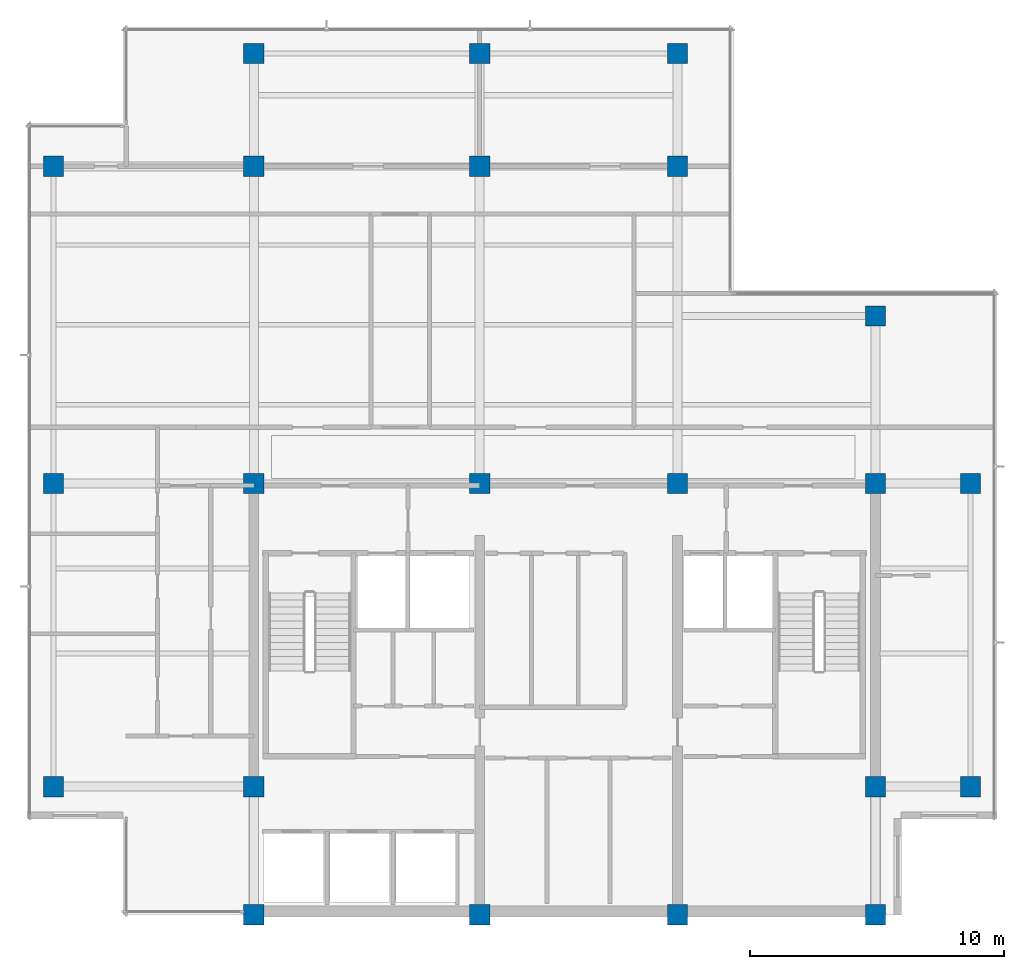
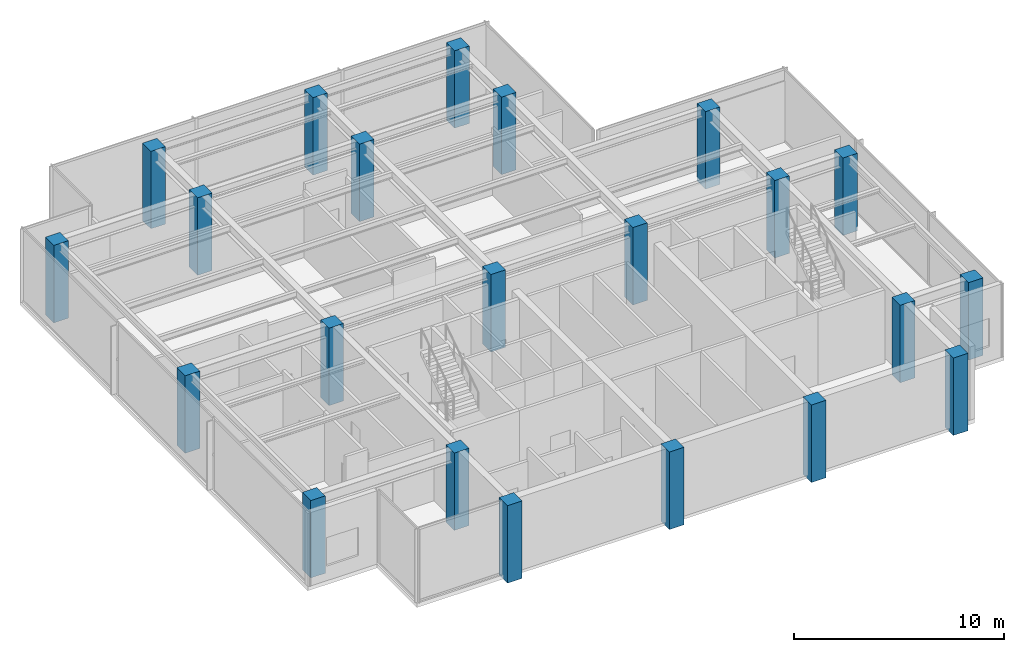
# One storey, part 1 of 11: 22 columns.
"""IFC4 building model written with IfcOpenShell, lengths in metres."""

from ifc_helpers import new_model, si_unit, direction, frame, origin, origin_2d, place, context, subcontext, project, spatial, rectangle, extrude, material, material_profile, profile_set, type_object, element, save


model = new_model("IFC4")

# Units and contexts
model_context = context("Model", 3, precision=1e-05, world=origin(), true_north=direction((0.0, 1.0)))
body_context = subcontext(model_context, "Body", "Model", "MODEL_VIEW")
ifc_project = project(units=[si_unit("LENGTHUNIT", "METRE"), si_unit("AREAUNIT", "SQUARE_METRE"), si_unit("VOLUMEUNIT", "CUBIC_METRE"), si_unit("PLANEANGLEUNIT", "RADIAN"), si_unit("MASSUNIT", "GRAM", prefix="KILO")], contexts=[model_context])

# Site, building, storey
site_placement = place(None, origin())
site = spatial("IfcSite", under=ifc_project, at=site_placement, CompositionType="ELEMENT")
building_placement = place(site_placement, origin())
building = spatial("IfcBuilding", under=site, at=building_placement, Name="Qalmaran Belvedere Hotel", CompositionType="ELEMENT")
storey_placement = place(building_placement, frame((0.0, 0.0, 280.89990234375)))
storey = spatial("IfcBuildingStorey", under=building, at=storey_placement, Name="L73", CompositionType="ELEMENT", Elevation=280.89990234375)

# Columns
ifc_material = material(Name="Concrete C50/60", Category="concrete")
ifc_material_profile = material_profile(ifc_material, rectangle(XDim=0.800048828125, YDim=0.800048828125, at=origin_2d()), Name="CC800X800")
ifc_profile_set = profile_set([ifc_material_profile], Name="Concrete C50/60")
column_type = type_object("IfcColumnType", Name="COL-Z5-CC800", PredefinedType="COLUMN", material=ifc_profile_set)
for number, where, z_axis, x_axis, name in (
    (1, (20.300048828125, 3.5, -0.239990234375), (0.0, 0.0, 1.0), (1.0, 0.0, 0.0), "L73 Column C4B"),
    (2, (29.199951171875, 3.5, -0.239990234375), (0.0, 0.0, 1.0), (1.0, 0.0, 0.0), "L73 Column C5B"),
    (3, (37.0, 3.5, -0.239990234375), (0.0, 0.0, 1.0), (1.0, 0.0, 0.0), "L73 Column C6B"),
    (4, (44.800048828125, 3.5, -0.239990234375), (0.0, 0.0, 1.0), (1.0, 0.0, 0.0), "L73 Column C7B"),
    (5, (20.300048828125, 8.550048828125, -0.239990234375), (0.0, 0.0, 1.0), (1.0, 0.0, 0.0), "L73 Column C4C"),
    (6, (44.800048828125, 8.550048828125, -0.239990234375), (0.0, 0.0, 1.0), (1.0, 0.0, 0.0), "L73 Column C7C"),
    (7, (20.300048828125, 20.5, -0.239990234375), (0.0, 0.0, 1.0), (1.0, 0.0, 0.0), "L73 Column C4D"),
    (8, (29.199951171875, 20.5, -0.239990234375), (0.0, 0.0, 1.0), (1.0, 0.0, 0.0), "L73 Column C5D"),
    (9, (37.0, 20.5, -0.239990234375), (0.0, 0.0, 1.0), (1.0, 0.0, 0.0), "L73 Column C6D"),
    (10, (44.800048828125, 20.5, -0.239990234375), (0.0, 0.0, 1.0), (1.0, 0.0, 0.0), "L73 Column C7D"),
    (11, (20.300048828125, 33.0, -0.239990234375), (0.0, 0.0, 1.0), (1.0, 0.0, 0.0), "L73 Column C4F"),
    (12, (29.199951171875, 33.0, -0.239990234375), (0.0, 0.0, 1.0), (1.0, 0.0, 0.0), "L73 Column C5F"),
    (13, (37.0, 33.0, -0.239990234375), (0.0, 0.0, 1.0), (1.0, 0.0, 0.0), "L73 Column C6F"),
    (14, (44.800048828125, 27.10009765625, -0.239990234375), (0.0, 0.0, 1.0), (1.0, 0.0, 0.0), "L73 Column C7E"),
    (15, (12.39990234375, 8.550048828125, -0.239990234375), (0.0, 0.0, 1.0), (1.0, 0.0, 0.0), "L73 Column CW1"),
    (16, (12.39990234375, 20.5, -0.239990234375), (0.0, 0.0, 1.0), (1.0, 0.0, 0.0), "L73 Column CW3"),
    (17, (12.39990234375, 33.0, -0.239990234375), (0.0, 0.0, 1.0), (1.0, 0.0, 0.0), "L73 Column CW4"),
    (18, (48.550048828125, 8.550048828125, -0.239990234375), (0.0, 0.0, 1.0), (1.0, 0.0, 0.0), "L73 Column CE1"),
    (19, (48.550048828125, 20.5, -0.239990234375), (0.0, 0.0, 1.0), (1.0, 0.0, 0.0), "L73 Column CE3"),
    (20, (20.300048828125, 37.449951171875, -0.239990234375), (0.0, 0.0, 1.0), (1.0, 0.0, 0.0), "L73 Column CN1"),
    (21, (29.199951171875, 37.449951171875, -0.239990234375), (0.0, 0.0, 1.0), (1.0, 0.0, 0.0), "L73 Column CN2"),
    (22, (37.0, 37.449951171875, -0.239990234375), (0.0, 0.0, 1.0), (1.0, 0.0, 0.0), "L73 Column CN3"),
):
    element("IfcColumn", number, at=place(storey_placement, frame(where, z_axis=z_axis, x_axis=x_axis)), inside=storey, type_object=column_type, Name=name, PredefinedType="COLUMN", context=body_context, shape_type="SweptSolid", body=[
        extrude(rectangle(XDim=0.800048828125, YDim=0.800048828125, at=origin_2d()), origin(), (0.0, 0.0, 1.0), 4.5),
    ])

save(model, "model.ifc")
